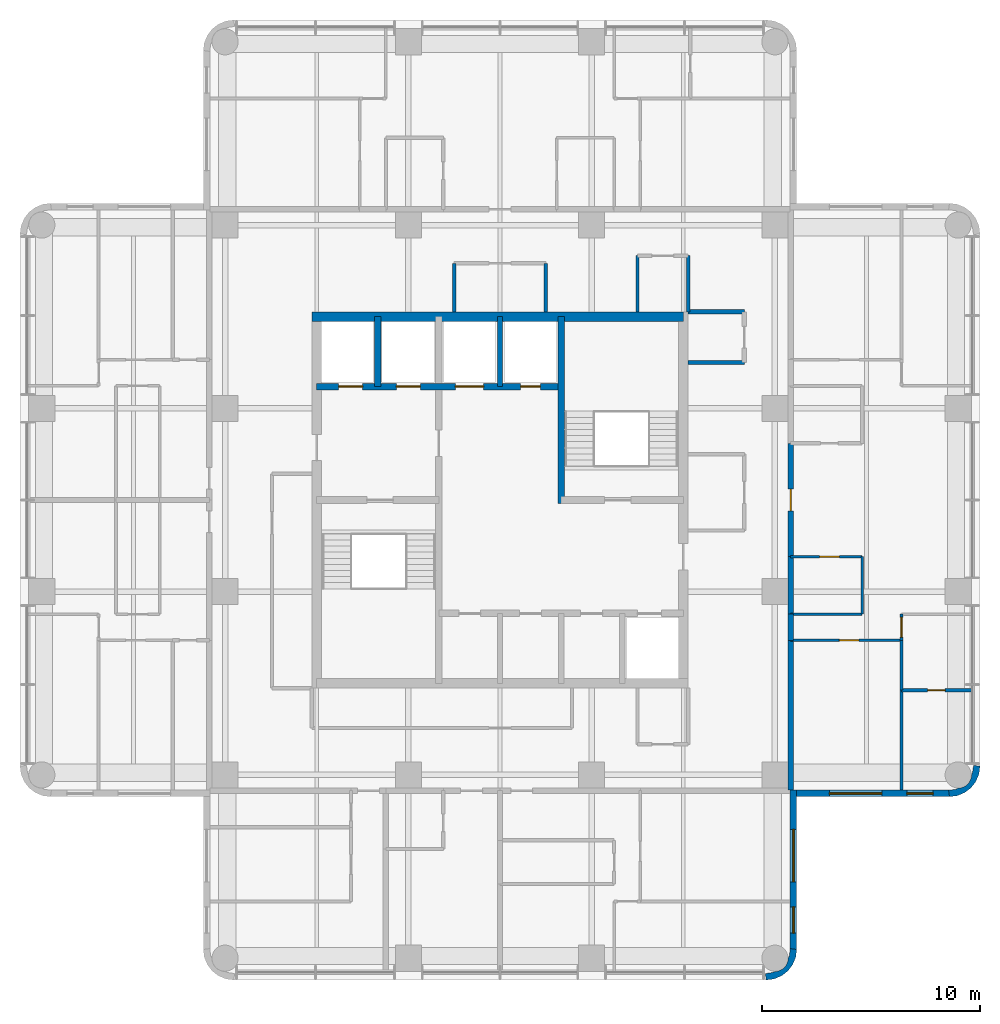
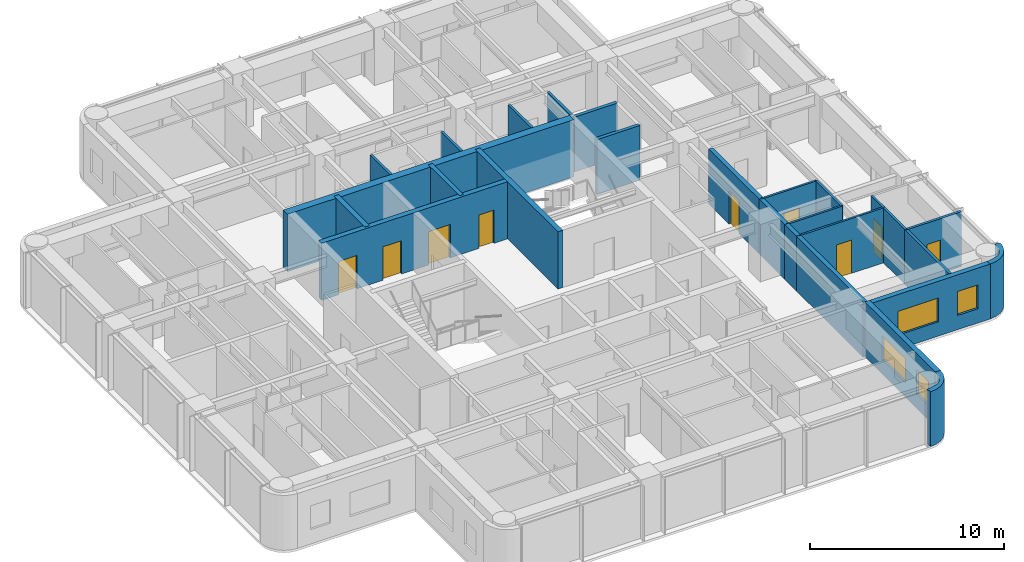
# One storey, part 6 of 9: 27 walls, 9 doors, 4 windows, 13 openings.
"""IFC4 building model written with IfcOpenShell, lengths in metres."""

from ifc_helpers import new_model, si_unit, direction, frame, frame_2d, origin, place, context, subcontext, project, spatial, polyline, rectangle, outline, extrude, material, layer, layer_set, type_object, element, fill, save


model = new_model("IFC4")

# Units and contexts
model_context = context("Model", 3, precision=1e-05, world=origin(), true_north=direction((0.0, 1.0)))
body_context = subcontext(model_context, "Body", "Model", "MODEL_VIEW")
ifc_project = project(units=[si_unit("LENGTHUNIT", "METRE"), si_unit("AREAUNIT", "SQUARE_METRE"), si_unit("VOLUMEUNIT", "CUBIC_METRE"), si_unit("PLANEANGLEUNIT", "RADIAN"), si_unit("MASSUNIT", "GRAM", prefix="KILO")], contexts=[model_context])

# Site, building, storey
site_placement = place(None, origin())
site = spatial("IfcSite", under=ifc_project, at=site_placement, CompositionType="ELEMENT")
building_placement = place(site_placement, origin())
building = spatial("IfcBuilding", under=site, at=building_placement, Name="Torre Alcanfor", CompositionType="ELEMENT")
storey_placement = place(building_placement, frame((0.0, 0.0, 268.5)))
storey = spatial("IfcBuildingStorey", under=building, at=storey_placement, Name="L70", CompositionType="ELEMENT", Elevation=268.5)

# Wall, opening, door
ifc_material_1 = material(Name="Concrete block masonry, hollow blocks NMX-C-404 9 MPa", Category="masonry")
ifc_layer_1 = layer(ifc_material_1, 0.25)
ifc_layer_set_1 = layer_set([ifc_layer_1], Name="Apartment entrance wall 250 EI 60")
wall_type_1 = type_object("IfcWallType", Name="Apartment entrance wall 250 EI 60", PredefinedType="PARTITIONING", material=ifc_layer_set_1)
wall_1_placement = place(storey_placement, frame((42.72509765625, 32.0, 0.0), z_axis=(0.0, 0.0, 1.0), x_axis=(0.0, -1.0, 0.0)))
wall_1 = element("IfcWall", 1, at=wall_1_placement, inside=storey, type_object=wall_type_1, Name="Partition L70-CORR / L70-EX-ZAG", PredefinedType="PARTITIONING", context=body_context, shape_type="SweptSolid", body=[
    extrude(rectangle(XDim=5.199951171875, YDim=0.25, at=frame_2d((2.60009765625, 0.0))), origin(), (0.0, 0.0, 1.0), 3.449951171875),
])
opening_1_placement = place(wall_1_placement, frame((2.10009765625, 0.0, 0.0)))
opening_1 = element("IfcOpeningElement", 2, at=opening_1_placement, cuts=wall_1, Name="Opening D-A1", PredefinedType="OPENING", context=body_context, shape_type="SweptSolid", body=[
    extrude(rectangle(XDim=1.0, YDim=2.10009765625, at=frame_2d((0.5, 1.050048828125))), frame((0.0, 0.135009765625, 0.0), z_axis=(0.0, -1.0, 0.0), x_axis=(1.0, 0.0, 0.0)), (0.0, 0.0, 1.0), 0.27001953125),
])
ifc_material_2 = material(Name="Galvanised steel sheet ASTM A653", Category="steel")
door_type_1 = type_object("IfcDoorType", Name="Apartment entrance door FD60 1000x2100", OperationType="SINGLE_SWING_LEFT", PredefinedType="DOOR", material=ifc_material_2)
door_1_placement = place(opening_1_placement, origin())
door_1 = element("IfcDoor", 3, at=door_1_placement, inside=storey, type_object=door_type_1, Name="Apartment entrance L70-EX", OperationType="SINGLE_SWING_LEFT", OverallHeight=2.10009765625, OverallWidth=1.0, PredefinedType="DOOR", context=body_context, shape_type="SweptSolid", body=[
    extrude(rectangle(XDim=1.0, YDim=2.10009765625, at=frame_2d((0.5, 1.050048828125))), frame((0.0, 0.02490234375, 0.0), z_axis=(0.0, -1.0, 0.0), x_axis=(1.0, 0.0, 0.0)), (0.0, 0.0, 1.0), 0.050048828125),
])
fill(opening_1, door_1)

# Walls
wall_2_placement = place(storey_placement, frame((42.72509765625, 26.800048828125, 0.0), z_axis=(0.0, 0.0, 1.0), x_axis=(0.0, -1.0, 0.0)))
element("IfcWall", 4, at=wall_2_placement, inside=storey, type_object=wall_type_1, Name="Partition L70-CORR / L70-EX-KITCHEN", PredefinedType="PARTITIONING", context=body_context, shape_type="SweptSolid", body=[
    extrude(rectangle(XDim=2.629150390625, YDim=0.25, at=frame_2d((1.314453125, 0.0))), origin(), (0.0, 0.0, 1.0), 3.449951171875),
])
wall_3_placement = place(storey_placement, frame((42.72509765625, 24.1708984375, 0.0), z_axis=(0.0, 0.0, 1.0), x_axis=(0.0, -1.0, 0.0)))
element("IfcWall", 5, at=wall_3_placement, inside=storey, type_object=wall_type_1, Name="Partition L70-CORR / L70-EX-LIVING", PredefinedType="PARTITIONING", context=body_context, shape_type="SweptSolid", body=[
    extrude(rectangle(XDim=1.199951171875, YDim=0.25, at=frame_2d((0.60009765625, 0.0))), origin(), (0.0, 0.0, 1.0), 3.449951171875),
])
wall_4_placement = place(storey_placement, frame((42.72509765625, 22.970947265625, 0.0), z_axis=(0.0, 0.0, 1.0), x_axis=(0.0, -1.0, 0.0)))
element("IfcWall", 6, at=wall_4_placement, inside=storey, type_object=wall_type_1, Name="Partition L70-CORR / L70-EX-BED3", PredefinedType="PARTITIONING", context=body_context, shape_type="SweptSolid", body=[
    extrude(rectangle(XDim=6.870849609375, YDim=0.25, at=frame_2d((3.435546875, 0.0))), origin(), (0.0, 0.0, 1.0), 3.449951171875),
])

# Wall, opening, door
ifc_material_3 = material(Name="Gypsum board on steel studs", Category="steel")
ifc_layer_2 = layer(ifc_material_3, 0.1201171875)
ifc_layer_set_2 = layer_set([ifc_layer_2], Name="Apartment partition 120")
wall_type_2 = type_object("IfcWallType", Name="Apartment partition 120", PredefinedType="PARTITIONING", material=ifc_layer_set_2)
wall_5_placement = place(storey_placement, frame((42.72509765625, 26.800048828125, 0.0), z_axis=(0.0, 0.0, 1.0), x_axis=(1.0, 0.0, 0.0)))
wall_5 = element("IfcWall", 7, at=wall_5_placement, inside=storey, type_object=wall_type_2, Name="Partition L70-EX-ZAG / L70-EX-KITCHEN", PredefinedType="PARTITIONING", context=body_context, shape_type="SweptSolid", body=[
    extrude(rectangle(XDim=3.27490234375, YDim=0.1201171875, at=frame_2d((1.637451171875, 0.0))), origin(), (0.0, 0.0, 1.0), 3.449951171875),
])
opening_2_placement = place(wall_5_placement, frame((1.324951171875, 0.0, 0.0)))
opening_2 = element("IfcOpeningElement", 8, at=opening_2_placement, cuts=wall_5, Name="Opening D-R1", PredefinedType="OPENING", context=body_context, shape_type="SweptSolid", body=[
    extrude(rectangle(XDim=0.89990234375, YDim=2.10009765625, at=frame_2d((0.449951171875, 1.050048828125))), frame((0.0, 0.070068359375, 0.0), z_axis=(0.0, -1.0, 0.0), x_axis=(1.0, 0.0, 0.0)), (0.0, 0.0, 1.0), 0.14013671875),
])
ifc_material_4 = material(Name="Timber", Category="wood")
door_type_2 = type_object("IfcDoorType", Name="Internal door 900x2100", OperationType="SINGLE_SWING_LEFT", PredefinedType="DOOR", material=ifc_material_4)
door_2_placement = place(opening_2_placement, frame((0.89990234375, 0.0, 0.0), z_axis=(0.0, 0.0, 1.0), x_axis=(-1.0, 0.0, 0.0)))
door_2 = element("IfcDoor", 9, at=door_2_placement, inside=storey, type_object=door_type_2, Name="Door L70-EX kitchen", OperationType="SINGLE_SWING_LEFT", OverallHeight=2.10009765625, OverallWidth=0.89990234375, PredefinedType="DOOR", context=body_context, shape_type="SweptSolid", body=[
    extrude(rectangle(XDim=0.89990234375, YDim=2.10009765625, at=frame_2d((0.449951171875, 1.050048828125))), frame((0.0, 0.025146484375, 0.0), z_axis=(0.0, -1.0, 0.0), x_axis=(1.0, 0.0, 0.0)), (0.0, 0.0, 1.0), 0.050048828125),
])
fill(opening_2, door_2)

# Walls
wall_6_placement = place(storey_placement, frame((42.72509765625, 24.1708984375, 0.0), z_axis=(0.0, 0.0, 1.0), x_axis=(1.0, 0.0, 0.0)))
element("IfcWall", 10, at=wall_6_placement, inside=storey, type_object=wall_type_2, Name="Partition L70-EX-KITCHEN / L70-EX-LIVING", PredefinedType="PARTITIONING", context=body_context, shape_type="SweptSolid", body=[
    extrude(rectangle(XDim=3.27490234375, YDim=0.1201171875, at=frame_2d((1.637451171875, 0.0))), origin(), (0.0, 0.0, 1.0), 3.449951171875),
])
wall_7_placement = place(storey_placement, frame((46.0, 24.1708984375, 0.0), z_axis=(0.0, 0.0, 1.0), x_axis=(0.0, 1.0, 0.0)))
element("IfcWall", 11, at=wall_7_placement, inside=storey, type_object=wall_type_2, Name="Partition L70-EX-KITCHEN / L70-EX-LIVING", PredefinedType="PARTITIONING", context=body_context, shape_type="SweptSolid", body=[
    extrude(rectangle(XDim=2.629150390625, YDim=0.1201171875, at=frame_2d((1.314453125, 0.0))), origin(), (0.0, 0.0, 1.0), 3.449951171875),
])

# Wall, opening, door
wall_8_placement = place(storey_placement, frame((47.800048828125, 22.970947265625, 0.0), z_axis=(0.0, 0.0, 1.0), x_axis=(-1.0, 0.0, 0.0)))
wall_8 = element("IfcWall", 12, at=wall_8_placement, inside=storey, type_object=wall_type_2, Name="Partition L70-EX-LIVING / L70-EX-BED3", PredefinedType="PARTITIONING", context=body_context, shape_type="SweptSolid", body=[
    extrude(rectangle(XDim=5.074951171875, YDim=0.1201171875, at=frame_2d((2.53759765625, 0.0))), origin(), (0.0, 0.0, 1.0), 3.449951171875),
])
opening_3_placement = place(wall_8_placement, frame((1.949951171875, 0.0, 0.0)))
opening_3 = element("IfcOpeningElement", 13, at=opening_3_placement, cuts=wall_8, Name="Opening D-R1", PredefinedType="OPENING", context=body_context, shape_type="SweptSolid", body=[
    extrude(rectangle(XDim=0.89990234375, YDim=2.10009765625, at=frame_2d((0.449951171875, 1.050048828125))), frame((0.0, 0.070068359375, 0.0), z_axis=(0.0, -1.0, 0.0), x_axis=(1.0, 0.0, 0.0)), (0.0, 0.0, 1.0), 0.14013671875),
])
door_3_placement = place(opening_3_placement, origin())
door_3 = element("IfcDoor", 14, at=door_3_placement, inside=storey, type_object=door_type_2, Name="Door L70-EX bed3", OperationType="SINGLE_SWING_LEFT", OverallHeight=2.10009765625, OverallWidth=0.89990234375, PredefinedType="DOOR", context=body_context, shape_type="SweptSolid", body=[
    extrude(rectangle(XDim=0.89990234375, YDim=2.10009765625, at=frame_2d((0.449951171875, 1.050048828125))), frame((0.0, 0.02490234375, 0.0), z_axis=(0.0, -1.0, 0.0), x_axis=(1.0, 0.0, 0.0)), (0.0, 0.0, 1.0), 0.050048828125),
])
fill(opening_3, door_3)

wall_9_placement = place(storey_placement, frame((47.800048828125, 24.1708984375, 0.0), z_axis=(0.0, 0.0, 1.0), x_axis=(0.0, -1.0, 0.0)))
wall_9 = element("IfcWall", 15, at=wall_9_placement, inside=storey, type_object=wall_type_2, Name="Partition L70-EX-LIVING / L70-EX-BED1", PredefinedType="PARTITIONING", context=body_context, shape_type="SweptSolid", body=[
    extrude(rectangle(XDim=1.199951171875, YDim=0.1201171875, at=frame_2d((0.60009765625, 0.0))), origin(), (0.0, 0.0, 1.0), 3.449951171875),
])
opening_4_placement = place(wall_9_placement, frame((0.15087890625, 0.0, 0.0)))
opening_4 = element("IfcOpeningElement", 16, at=opening_4_placement, cuts=wall_9, Name="Opening D-R1", PredefinedType="OPENING", context=body_context, shape_type="SweptSolid", body=[
    extrude(rectangle(XDim=0.89990234375, YDim=2.10009765625, at=frame_2d((0.449951171875, 1.050048828125))), frame((0.0, 0.070068359375, 0.0), z_axis=(0.0, -1.0, 0.0), x_axis=(1.0, 0.0, 0.0)), (0.0, 0.0, 1.0), 0.14013671875),
])
door_4_placement = place(opening_4_placement, origin())
door_4 = element("IfcDoor", 17, at=door_4_placement, inside=storey, type_object=door_type_2, Name="Door L70-EX bed1", OperationType="SINGLE_SWING_LEFT", OverallHeight=2.10009765625, OverallWidth=0.89990234375, PredefinedType="DOOR", context=body_context, shape_type="SweptSolid", body=[
    extrude(rectangle(XDim=0.89990234375, YDim=2.10009765625, at=frame_2d((0.449951171875, 1.050048828125))), frame((0.0, 0.02490234375, 0.0), z_axis=(0.0, -1.0, 0.0), x_axis=(1.0, 0.0, 0.0)), (0.0, 0.0, 1.0), 0.050048828125),
])
fill(opening_4, door_4)

# Wall
wall_10_placement = place(storey_placement, frame((47.800048828125, 20.68603515625, 0.0), z_axis=(0.0, 0.0, 1.0), x_axis=(0.0, 1.0, 0.0)))
element("IfcWall", 18, at=wall_10_placement, inside=storey, type_object=wall_type_2, Name="Partition L70-EX-BED3 / L70-EX-BED1", PredefinedType="PARTITIONING", context=body_context, shape_type="SweptSolid", body=[
    extrude(rectangle(XDim=2.284912109375, YDim=0.1201171875, at=frame_2d((1.142578125, 0.0))), origin(), (0.0, 0.0, 1.0), 3.449951171875),
])

# Wall, openings, doors
ifc_material_5 = material(Name="Concrete f'c 70 MPa", Category="concrete")
ifc_layer_3 = layer(ifc_material_5, 0.300048828125)
ifc_layer_set_3 = layer_set([ifc_layer_3], Name="Core inner wall 300 f'c70")
wall_type_3 = type_object("IfcWallType", Name="Core inner wall 300 f'c70", PredefinedType="SHEAR", material=ifc_layer_set_3)
wall_11_placement = place(storey_placement, frame((21.0, 34.60009765625, 0.0), z_axis=(0.0, 0.0, 1.0), x_axis=(1.0, 0.0, 0.0)))
wall_11 = element("IfcWall", 19, at=wall_11_placement, inside=storey, type_object=wall_type_3, Name="Core wall Y346 L70", PredefinedType="SHEAR", context=body_context, shape_type="SweptSolid", body=[
    extrude(rectangle(XDim=11.199951171875, YDim=0.300048828125, at=frame_2d((5.60009765625, 0.0))), origin(), (0.0, 0.0, 1.0), 3.60009765625),
])
opening_5_placement = place(wall_11_placement, frame((9.35009765625, 0.0, 0.0)))
opening_5 = element("IfcOpeningElement", 20, at=opening_5_placement, cuts=wall_11, Name="Opening D-Q1", PredefinedType="OPENING", context=body_context, shape_type="SweptSolid", body=[
    extrude(rectangle(XDim=0.89990234375, YDim=2.10009765625, at=frame_2d((0.449951171875, 1.050048828125))), frame((0.0, 0.159912109375, 0.0), z_axis=(0.0, -1.0, 0.0), x_axis=(1.0, 0.0, 0.0)), (0.0, 0.0, 1.0), 0.320068359375),
])
opening_6_placement = place(wall_11_placement, frame((1.0, 0.0, 0.0)))
opening_6 = element("IfcOpeningElement", 21, at=opening_6_placement, cuts=wall_11, Name="Opening LD2", PredefinedType="OPENING", context=body_context, shape_type="SweptSolid", body=[
    extrude(rectangle(XDim=1.10009765625, YDim=2.10009765625, at=frame_2d((0.550048828125, 1.050048828125))), frame((0.0, 0.159912109375, 0.0), z_axis=(0.0, -1.0, 0.0), x_axis=(1.0, 0.0, 0.0)), (0.0, 0.0, 1.0), 0.320068359375),
])
opening_7_placement = place(wall_11_placement, frame((3.64990234375, 0.0, 0.0)))
opening_7 = element("IfcOpeningElement", 22, at=opening_7_placement, cuts=wall_11, Name="Opening LD2", PredefinedType="OPENING", context=body_context, shape_type="SweptSolid", body=[
    extrude(rectangle(XDim=1.10009765625, YDim=2.10009765625, at=frame_2d((0.550048828125, 1.050048828125))), frame((0.0, 0.159912109375, 0.0), z_axis=(0.0, -1.0, 0.0), x_axis=(1.0, 0.0, 0.0)), (0.0, 0.0, 1.0), 0.320068359375),
])
opening_8_placement = place(wall_11_placement, frame((6.35009765625, 0.0, 0.0)))
opening_8 = element("IfcOpeningElement", 23, at=opening_8_placement, cuts=wall_11, Name="Opening LD3", PredefinedType="OPENING", context=body_context, shape_type="SweptSolid", body=[
    extrude(rectangle(XDim=1.300048828125, YDim=2.10009765625, at=frame_2d((0.64990234375, 1.050048828125))), frame((0.0, 0.159912109375, 0.0), z_axis=(0.0, -1.0, 0.0), x_axis=(1.0, 0.0, 0.0)), (0.0, 0.0, 1.0), 0.320068359375),
])
ifc_material_6 = material(Name="Galvanised steel sheet ASTM A653", Category="steel")
door_type_3 = type_object("IfcDoorType", Name="Firefighting lift landing door 1100x2100", OperationType="DOUBLE_DOOR_SLIDING", PredefinedType="DOOR", material=ifc_material_6)
door_5_placement = place(opening_6_placement, origin())
door_5 = element("IfcDoor", 24, at=door_5_placement, inside=storey, type_object=door_type_3, Name="Lift landing door FL1 L70", OperationType="DOUBLE_DOOR_SLIDING", OverallHeight=2.10009765625, OverallWidth=1.10009765625, PredefinedType="DOOR", context=body_context, shape_type="SweptSolid", body=[
    extrude(rectangle(XDim=1.10009765625, YDim=2.10009765625, at=frame_2d((0.550048828125, 1.050048828125))), frame((0.0, 0.02490234375, 0.0), z_axis=(0.0, -1.0, 0.0), x_axis=(1.0, 0.0, 0.0)), (0.0, 0.0, 1.0), 0.050048828125),
])
fill(opening_6, door_5)
door_6_placement = place(opening_7_placement, origin())
door_6 = element("IfcDoor", 25, at=door_6_placement, inside=storey, type_object=door_type_3, Name="Lift landing door FL2 L70", OperationType="DOUBLE_DOOR_SLIDING", OverallHeight=2.10009765625, OverallWidth=1.10009765625, PredefinedType="DOOR", context=body_context, shape_type="SweptSolid", body=[
    extrude(rectangle(XDim=1.10009765625, YDim=2.10009765625, at=frame_2d((0.550048828125, 1.050048828125))), frame((0.0, 0.02490234375, 0.0), z_axis=(0.0, -1.0, 0.0), x_axis=(1.0, 0.0, 0.0)), (0.0, 0.0, 1.0), 0.050048828125),
])
fill(opening_7, door_6)
ifc_material_7 = material(Name="Galvanised steel sheet ASTM A653", Category="steel")
door_type_4 = type_object("IfcDoorType", Name="Riser access door FD120 900x2100", OperationType="SINGLE_SWING_LEFT", PredefinedType="DOOR", material=ifc_material_7)
door_7_placement = place(opening_5_placement, origin())
door_7 = element("IfcDoor", 26, at=door_7_placement, inside=storey, type_object=door_type_4, Name="Riser door L70", OperationType="SINGLE_SWING_LEFT", OverallHeight=2.10009765625, OverallWidth=0.89990234375, PredefinedType="DOOR", context=body_context, shape_type="SweptSolid", body=[
    extrude(rectangle(XDim=0.89990234375, YDim=2.10009765625, at=frame_2d((0.449951171875, 1.050048828125))), frame((0.0, 0.02490234375, 0.0), z_axis=(0.0, -1.0, 0.0), x_axis=(1.0, 0.0, 0.0)), (0.0, 0.0, 1.0), 0.050048828125),
])
fill(opening_5, door_7)
ifc_material_8 = material(Name="Galvanised steel sheet ASTM A653", Category="steel")
door_type_5 = type_object("IfcDoorType", Name="Service lift landing door 1300x2100", OperationType="DOUBLE_DOOR_SLIDING", PredefinedType="DOOR", material=ifc_material_8)
door_8_placement = place(opening_8_placement, origin())
door_8 = element("IfcDoor", 27, at=door_8_placement, inside=storey, type_object=door_type_5, Name="Lift landing door SL1 L70", OperationType="DOUBLE_DOOR_SLIDING", OverallHeight=2.10009765625, OverallWidth=1.300048828125, PredefinedType="DOOR", context=body_context, shape_type="SweptSolid", body=[
    extrude(rectangle(XDim=1.300048828125, YDim=2.10009765625, at=frame_2d((0.64990234375, 1.050048828125))), frame((0.0, 0.02490234375, 0.0), z_axis=(0.0, -1.0, 0.0), x_axis=(1.0, 0.0, 0.0)), (0.0, 0.0, 1.0), 0.050048828125),
])
fill(opening_8, door_8)

# Walls
wall_12_placement = place(storey_placement, frame((23.800048828125, 34.60009765625, 0.0), z_axis=(0.0, 0.0, 1.0), x_axis=(0.0, 1.0, 0.0)))
element("IfcWall", 28, at=wall_12_placement, inside=storey, type_object=wall_type_3, Name="Core wall X238 L70", PredefinedType="SHEAR", context=body_context, shape_type="SweptSolid", body=[
    extrude(rectangle(XDim=3.199951171875, YDim=0.300048828125, at=frame_2d((1.60009765625, 0.0))), origin(), (0.0, 0.0, 1.0), 3.60009765625),
])
wall_13_placement = place(storey_placement, frame((32.199951171875, 29.25, 0.0), z_axis=(0.0, 0.0, 1.0), x_axis=(0.0, 1.0, 0.0)))
element("IfcWall", 29, at=wall_13_placement, inside=storey, type_object=wall_type_3, Name="Core wall X322N L70", PredefinedType="SHEAR", context=body_context, shape_type="SweptSolid", body=[
    extrude(rectangle(XDim=8.550048828125, YDim=0.300048828125, at=frame_2d((4.27490234375, 0.0))), origin(), (0.0, 0.0, 1.0), 3.60009765625),
])
ifc_material_9 = material(Name="Concrete f'c 70 MPa", Category="concrete")
ifc_layer_4 = layer(ifc_material_9, 0.25)
ifc_layer_set_4 = layer_set([ifc_layer_4], Name="Core shaft wall 250 f'c70")
wall_type_4 = type_object("IfcWallType", Name="Core shaft wall 250 f'c70", PredefinedType="SHEAR", material=ifc_layer_set_4)
wall_14_placement = place(storey_placement, frame((29.39990234375, 34.60009765625, 0.0), z_axis=(0.0, 0.0, 1.0), x_axis=(0.0, 1.0, 0.0)))
element("IfcWall", 30, at=wall_14_placement, inside=storey, type_object=wall_type_4, Name="Core wall X294N L70", PredefinedType="SHEAR", context=body_context, shape_type="SweptSolid", body=[
    extrude(rectangle(XDim=3.199951171875, YDim=0.25, at=frame_2d((1.60009765625, 0.0))), origin(), (0.0, 0.0, 1.0), 3.60009765625),
])
ifc_material_10 = material(Name="Concrete f'c 70 MPa", Category="concrete")
ifc_layer_5 = layer(ifc_material_10, 0.449951171875)
ifc_layer_set_5 = layer_set([ifc_layer_5], Name="Core wall 450 f'c70")
wall_type_5 = type_object("IfcWallType", Name="Core wall 450 f'c70", PredefinedType="SHEAR", material=ifc_layer_set_5)
wall_15_placement = place(storey_placement, frame((37.800048828125, 37.800048828125, 0.0), z_axis=(0.0, 0.0, 1.0), x_axis=(-1.0, 0.0, 0.0)))
element("IfcWall", 31, at=wall_15_placement, inside=storey, type_object=wall_type_5, Name="Core wall OUT-N L70", PredefinedType="SHEAR", context=body_context, shape_type="SweptSolid", body=[
    extrude(rectangle(XDim=17.025146484375, YDim=0.449951171875, at=frame_2d((8.5126953125, 0.0))), origin(), (0.0, 0.0, 1.0), 3.60009765625),
])

# Wall, openings, windows
ifc_material_11 = material(Name="Limestone cladding", Category="masonry")
ifc_layer_6 = layer(ifc_material_11, 0.0400390625, Name="Facing")
ifc_material_12 = material(Name="Ventilated air cavity")
ifc_layer_7 = layer(ifc_material_12, 0.02001953125, ventilated=True, Name="Ventilated joint")
ifc_material_13 = material(Name="Mineral wool insulation", Category="insulation")
ifc_layer_8 = layer(ifc_material_13, 0.10009765625, Name="Insulation")
ifc_material_14 = material(Name="Concrete f'c 35 MPa", Category="concrete")
ifc_layer_9 = layer(ifc_material_14, 0.139892578125, Name="Backing")
ifc_layer_set_6 = layer_set([ifc_layer_6, ifc_layer_7, ifc_layer_8, ifc_layer_9], Name="External wall stone-clad 300")
wall_type_6 = type_object("IfcWallType", Name="External wall stone-clad 300", PredefinedType="SOLIDWALL", material=ifc_layer_set_6)
wall_16_placement = place(storey_placement, frame((42.85009765625, 8.800048828125, 0.0), z_axis=(0.0, 0.0, 1.0), x_axis=(0.0, 1.0, 0.0)))
wall_16 = element("IfcWall", 32, at=wall_16_placement, inside=storey, type_object=wall_type_6, Name="External wall L70 6", PredefinedType="SOLIDWALL", context=body_context, shape_type="SweptSolid", body=[
    extrude(rectangle(XDim=7.300048828125, YDim=0.300048828125, at=frame_2d((3.64990234375, 0.0))), origin(), (0.0, 0.0, 1.0), 3.449951171875),
])
opening_9_placement = place(wall_16_placement, frame((3.10009765625, 0.0, 0.89990234375)))
opening_9 = element("IfcOpeningElement", 33, at=opening_9_placement, cuts=wall_16, Name="Opening W1", PredefinedType="OPENING", context=body_context, shape_type="SweptSolid", body=[
    extrude(rectangle(XDim=2.39990234375, YDim=1.5, at=frame_2d((1.199951171875, 0.75))), frame((0.0, 0.159912109375, 0.0), z_axis=(0.0, -1.0, 0.0), x_axis=(1.0, 0.0, 0.0)), (0.0, 0.0, 1.0), 0.320068359375),
])
opening_10_placement = place(wall_16_placement, frame((0.75, 0.0, 0.89990234375)))
opening_10 = element("IfcOpeningElement", 34, at=opening_10_placement, cuts=wall_16, Name="Opening W4", PredefinedType="OPENING", context=body_context, shape_type="SweptSolid", body=[
    extrude(rectangle(XDim=1.199951171875, YDim=1.5, at=frame_2d((0.60009765625, 0.75))), frame((0.0, 0.159912109375, 0.0), z_axis=(0.0, -1.0, 0.0), x_axis=(1.0, 0.0, 0.0)), (0.0, 0.0, 1.0), 0.320068359375),
])
ifc_material_15 = material(Name="Aluminium frame with clear double glazing", Category="aluminium")
window_type_1 = type_object("IfcWindowType", Name="Window bedroom 1200x1500", PartitioningType="SINGLE_PANEL", PredefinedType="WINDOW", material=ifc_material_15)
window_1_placement = place(opening_10_placement, origin())
window_1 = element("IfcWindow", 35, at=window_1_placement, inside=storey, type_object=window_type_1, Name="Window W4 L70-S1", OverallHeight=1.5, OverallWidth=1.199951171875, PartitioningType="SINGLE_PANEL", PredefinedType="WINDOW", context=body_context, shape_type="SweptSolid", body=[
    extrude(rectangle(XDim=1.199951171875, YDim=1.5, at=frame_2d((0.60009765625, 0.75))), frame((0.0, 0.030029296875, 0.0), z_axis=(0.0, -1.0, 0.0), x_axis=(1.0, 0.0, 0.0)), (0.0, 0.0, 1.0), 0.06005859375),
])
fill(opening_10, window_1)
ifc_material_16 = material(Name="Aluminium frame with clear double glazing", Category="aluminium")
window_type_2 = type_object("IfcWindowType", Name="Window bedroom 2400x1500", PartitioningType="SINGLE_PANEL", PredefinedType="WINDOW", material=ifc_material_16)
window_2_placement = place(opening_9_placement, origin())
window_2 = element("IfcWindow", 36, at=window_2_placement, inside=storey, type_object=window_type_2, Name="Window W1 L70-S1", OverallHeight=1.5, OverallWidth=2.39990234375, PartitioningType="SINGLE_PANEL", PredefinedType="WINDOW", context=body_context, shape_type="SweptSolid", body=[
    extrude(rectangle(XDim=2.39990234375, YDim=1.5, at=frame_2d((1.199951171875, 0.75))), frame((0.0, 0.030029296875, 0.0), z_axis=(0.0, -1.0, 0.0), x_axis=(1.0, 0.0, 0.0)), (0.0, 0.0, 1.0), 0.06005859375),
])
fill(opening_9, window_2)

wall_17_placement = place(storey_placement, frame((43.0, 15.949951171875, 0.0), z_axis=(0.0, 0.0, 1.0), x_axis=(1.0, 0.0, 0.0)))
wall_17 = element("IfcWall", 37, at=wall_17_placement, inside=storey, type_object=wall_type_6, Name="External wall L70 7", PredefinedType="SOLIDWALL", context=body_context, shape_type="SweptSolid", body=[
    extrude(rectangle(XDim=7.0, YDim=0.300048828125, at=frame_2d((3.5, 0.0))), origin(), (0.0, 0.0, 1.0), 3.449951171875),
])
opening_11_placement = place(wall_17_placement, frame((1.5, 0.0, 0.89990234375)))
opening_11 = element("IfcOpeningElement", 38, at=opening_11_placement, cuts=wall_17, Name="Opening W1", PredefinedType="OPENING", context=body_context, shape_type="SweptSolid", body=[
    extrude(rectangle(XDim=2.39990234375, YDim=1.5, at=frame_2d((1.199951171875, 0.75))), frame((0.0, 0.159912109375, 0.0), z_axis=(0.0, -1.0, 0.0), x_axis=(1.0, 0.0, 0.0)), (0.0, 0.0, 1.0), 0.320068359375),
])
opening_12_placement = place(wall_17_placement, frame((5.050048828125, 0.0, 0.89990234375)))
opening_12 = element("IfcOpeningElement", 39, at=opening_12_placement, cuts=wall_17, Name="Opening W4", PredefinedType="OPENING", context=body_context, shape_type="SweptSolid", body=[
    extrude(rectangle(XDim=1.199951171875, YDim=1.5, at=frame_2d((0.60009765625, 0.75))), frame((0.0, 0.159912109375, 0.0), z_axis=(0.0, -1.0, 0.0), x_axis=(1.0, 0.0, 0.0)), (0.0, 0.0, 1.0), 0.320068359375),
])
window_3_placement = place(opening_12_placement, origin())
window_3 = element("IfcWindow", 40, at=window_3_placement, inside=storey, type_object=window_type_1, Name="Window W4 L70-E2", OverallHeight=1.5, OverallWidth=1.199951171875, PartitioningType="SINGLE_PANEL", PredefinedType="WINDOW", context=body_context, shape_type="SweptSolid", body=[
    extrude(rectangle(XDim=1.199951171875, YDim=1.5, at=frame_2d((0.60009765625, 0.75))), frame((0.0, 0.030029296875, 0.0), z_axis=(0.0, -1.0, 0.0), x_axis=(1.0, 0.0, 0.0)), (0.0, 0.0, 1.0), 0.06005859375),
])
fill(opening_12, window_3)
window_4_placement = place(opening_11_placement, origin())
window_4 = element("IfcWindow", 41, at=window_4_placement, inside=storey, type_object=window_type_2, Name="Window W1 L70-E2", OverallHeight=1.5, OverallWidth=2.39990234375, PartitioningType="SINGLE_PANEL", PredefinedType="WINDOW", context=body_context, shape_type="SweptSolid", body=[
    extrude(rectangle(XDim=2.39990234375, YDim=1.5, at=frame_2d((1.199951171875, 0.75))), frame((0.0, 0.030029296875, 0.0), z_axis=(0.0, -1.0, 0.0), x_axis=(1.0, 0.0, 0.0)), (0.0, 0.0, 1.0), 0.06005859375),
])
fill(opening_11, window_4)

# Walls
ifc_material_17 = material(Name="Concrete block masonry, hollow blocks NMX-C-404 9 MPa", Category="masonry")
ifc_layer_10 = layer(ifc_material_17, 0.199951171875)
ifc_layer_set_7 = layer_set([ifc_layer_10], Name="Plant room wall 200 EI 60")
wall_type_7 = type_object("IfcWallType", Name="Plant room wall 200 EI 60", PredefinedType="PARTITIONING", material=ifc_layer_set_7)
for number, where, z_axis, x_axis, name in (
    (42, (38.02490234375, 35.699951171875, 0.0), (0.0, 0.0, 1.0), (1.0, 0.0, 0.0), "Partition L70-CORR / L70-G04"),
    (43, (40.60009765625, 38.02490234375, 0.0), (0.0, 0.0, 1.0), (-1.0, 0.0, 0.0), "Partition L70-CORR / L70-G04"),
):
    element("IfcWall", number, at=place(storey_placement, frame(where, z_axis=z_axis, x_axis=x_axis)), inside=storey, type_object=wall_type_7, Name=name, PredefinedType="PARTITIONING", context=body_context, shape_type="SweptSolid", body=[
        extrude(rectangle(XDim=2.5751953125, YDim=0.199951171875, at=frame_2d((1.28759765625, 0.0))), origin(), (0.0, 0.0, 1.0), 3.449951171875),
    ])
ifc_material_18 = material(Name="Concrete block masonry, hollow blocks NMX-C-404 9 MPa", Category="masonry")
ifc_layer_11 = layer(ifc_material_18, 0.14990234375)
ifc_layer_set_8 = layer_set([ifc_layer_11], Name="Residents' room partition 150")
wall_type_8 = type_object("IfcWallType", Name="Residents' room partition 150", PredefinedType="PARTITIONING", material=ifc_layer_set_8)
for number, where, z_axis, x_axis, name in (
    (44, (31.5, 38.02490234375, 0.0), (0.0, 0.0, 1.0), (0.0, 1.0, 0.0), "Partition L70-CORR / L70-G01"),
    (45, (27.300048828125, 40.25, 0.0), (0.0, 0.0, 1.0), (0.0, -1.0, 0.0), "Partition L70-CORR / L70-G01"),
):
    element("IfcWall", number, at=place(storey_placement, frame(where, z_axis=z_axis, x_axis=x_axis)), inside=storey, type_object=wall_type_8, Name=name, PredefinedType="PARTITIONING", context=body_context, shape_type="SweptSolid", body=[
        extrude(rectangle(XDim=2.22509765625, YDim=0.14990234375, at=frame_2d((1.112548828125, 0.0))), origin(), (0.0, 0.0, 1.0), 3.449951171875),
    ])
for number, where, z_axis, x_axis, name in (
    (46, (38.02490234375, 38.02490234375, 0.0), (0.0, 0.0, 1.0), (0.0, 1.0, 0.0), "Partition L70-CORR / L70-G02"),
    (47, (35.699951171875, 40.60009765625, 0.0), (0.0, 0.0, 1.0), (0.0, -1.0, 0.0), "Partition L70-CORR / L70-G02"),
):
    element("IfcWall", number, at=place(storey_placement, frame(where, z_axis=z_axis, x_axis=x_axis)), inside=storey, type_object=wall_type_8, Name=name, PredefinedType="PARTITIONING", context=body_context, shape_type="SweptSolid", body=[
        extrude(rectangle(XDim=2.5751953125, YDim=0.14990234375, at=frame_2d((1.28759765625, 0.0))), origin(), (0.0, 0.0, 1.0), 3.449951171875),
    ])
ifc_layer_12 = layer(ifc_material_11, 0.0400390625, Name="Facing")
ifc_layer_13 = layer(ifc_material_12, 0.02001953125, ventilated=True, Name="Ventilated joint")
ifc_layer_14 = layer(ifc_material_13, 0.10009765625, Name="Insulation")
ifc_layer_15 = layer(ifc_material_14, 0.139892578125, Name="Backing")
ifc_layer_set_9 = layer_set([ifc_layer_12, ifc_layer_13, ifc_layer_14, ifc_layer_15], Name="Rounded corner pier stone-clad 300")
wall_type_9 = type_object("IfcWallType", Name="Rounded corner pier stone-clad 300", PredefinedType="SOLIDWALL", material=ifc_layer_set_9)
wall_18_placement = place(storey_placement, frame((41.638418254, 7.824101883, 0.0), z_axis=(0.0, 0.0, 1.0), x_axis=(0.707106781187, -0.707106781187, 0.0)))
element("IfcWall", 48, at=wall_18_placement, inside=storey, type_object=wall_type_9, Name="Corner pier L70 16", PredefinedType="SOLIDWALL", context=body_context, shape_type="SweptSolid", body=[
    extrude(outline(polyline([(0.0325517960828704, 1.468682453281438), (0.04670774238592146, 1.4545265069783868), (0.23297927971509252, 1.2116311844370118), (0.29219256729980597, 1.0692085539489986), (0.35796592756154294, 1.0034351936872616), (0.44946167805687254, 0.7824643245664655), (0.44946167805687254, 0.5431943053466035), (0.3577932940700423, 0.322396069717308), (0.2921925672998059, 0.2567953429470716), (0.23315191320659318, 0.1142000789675579), (0.046707742385921465, -0.12886787706531783), (0.03272442957437109, -0.14285118987686818), (0.2728576162517362, -0.3270511253080318), (0.4952095533045373, -0.03702685958698693), (0.6350426814200412, 0.3006442497882296), (0.6826895250742129, 0.6628293149565345), (0.635042681420041, 1.0253596471078406), (0.49520955330453736, 1.3630307564830573), (0.2726849827602357, 1.6528823887126016), (0.0325517960828704, 1.468682453281438)])), origin(), (0.0, 0.0, 1.0), 3.449951171875),
])
wall_19_placement = place(storey_placement, frame((50.038418254, 16.224101883, 0.0), z_axis=(0.0, 0.0, 1.0), x_axis=(0.707106781187, -0.707106781187, 0.0)))
element("IfcWall", 49, at=wall_19_placement, inside=storey, type_object=wall_type_9, Name="Corner pier L70 17", PredefinedType="SOLIDWALL", context=body_context, shape_type="SweptSolid", body=[
    extrude(outline(polyline([(0.046707742385922124, 1.454733667168189), (0.23315191320659384, 1.2116657111353133), (0.29219256729980647, 1.0690704471557995), (0.35796592756154344, 1.0032970868940625), (0.44928904456537255, 0.782498851264767), (0.44946167805687315, 0.5434014655364057), (0.3579659275615435, 0.3224305964156095), (0.2921925672998065, 0.25665723615387254), (0.2331519132065938, 0.11406197217435879), (0.046535108894421466, -0.1288333503670163), (0.032551796082871086, -0.14281666317856667), (0.2726849827602362, -0.3270165986097303), (0.495209553304538, -0.03716496638018607), (0.6350426814200417, 0.30050614299503053), (0.6826895250742134, 0.6630364751463366), (0.6350426814200417, 1.0252215403146416), (0.495209553304538, 1.3628926496898581), (0.27268498276023634, 1.6527442819194023), (0.032724429574371716, 1.4687169799797393), (0.046707742385922124, 1.454733667168189)])), origin(), (0.0, 0.0, 1.0), 3.449951171875),
])
ifc_material_19 = material(Name="Cement board on steel studs", Category="steel")
ifc_layer_16 = layer(ifc_material_19, 0.14990234375)
ifc_layer_set_10 = layer_set([ifc_layer_16], Name="Wet area partition 150")
wall_type_10 = type_object("IfcWallType", Name="Wet area partition 150", PredefinedType="PARTITIONING", material=ifc_layer_set_10)
wall_20_placement = place(storey_placement, frame((47.800048828125, 16.10009765625, 0.0), z_axis=(0.0, 0.0, 1.0), x_axis=(0.0, 1.0, 0.0)))
element("IfcWall", 50, at=wall_20_placement, inside=storey, type_object=wall_type_10, Name="Partition L70-EX-BED3 / L70-EX-BATH1", PredefinedType="PARTITIONING", context=body_context, shape_type="SweptSolid", body=[
    extrude(rectangle(XDim=4.5859375, YDim=0.14990234375, at=frame_2d((2.29296875, 0.0))), origin(), (0.0, 0.0, 1.0), 3.449951171875),
])

# Wall, opening, door
wall_21_placement = place(storey_placement, frame((51.050048828125, 20.68603515625, 0.0), z_axis=(0.0, 0.0, 1.0), x_axis=(-1.0, 0.0, 0.0)))
wall_21 = element("IfcWall", 51, at=wall_21_placement, inside=storey, type_object=wall_type_10, Name="Partition L70-EX-BATH1 / L70-EX-BED1", PredefinedType="PARTITIONING", context=body_context, shape_type="SweptSolid", body=[
    extrude(rectangle(XDim=3.25, YDim=0.14990234375, at=frame_2d((1.625, 0.0))), origin(), (0.0, 0.0, 1.0), 3.449951171875),
])
opening_13_placement = place(wall_21_placement, frame((1.25, 0.0, 0.0)))
opening_13 = element("IfcOpeningElement", 52, at=opening_13_placement, cuts=wall_21, Name="Opening D-R2", PredefinedType="OPENING", context=body_context, shape_type="SweptSolid", body=[
    extrude(rectangle(XDim=0.800048828125, YDim=2.10009765625, at=frame_2d((0.39990234375, 1.050048828125))), frame((0.0, 0.0849609375, 0.0), z_axis=(0.0, -1.0, 0.0), x_axis=(1.0, 0.0, 0.0)), (0.0, 0.0, 1.0), 0.169921875),
])
ifc_material_20 = material(Name="Timber", Category="wood")
door_type_6 = type_object("IfcDoorType", Name="Bathroom door 800x2100", OperationType="SINGLE_SWING_LEFT", PredefinedType="DOOR", material=ifc_material_20)
door_9_placement = place(opening_13_placement, frame((0.800048828125, 0.0, 0.0), z_axis=(0.0, 0.0, 1.0), x_axis=(-1.0, 0.0, 0.0)))
door_9 = element("IfcDoor", 53, at=door_9_placement, inside=storey, type_object=door_type_6, Name="Door L70-EX bath1", OperationType="SINGLE_SWING_LEFT", OverallHeight=2.10009765625, OverallWidth=0.800048828125, PredefinedType="DOOR", context=body_context, shape_type="SweptSolid", body=[
    extrude(rectangle(XDim=0.800048828125, YDim=2.10009765625, at=frame_2d((0.400146484375, 1.050048828125))), frame((0.0, 0.025146484375, 0.0), z_axis=(0.0, -1.0, 0.0), x_axis=(1.0, 0.0, 0.0)), (0.0, 0.0, 1.0), 0.050048828125),
])
fill(opening_13, door_9)

save(model, "model.ifc")
